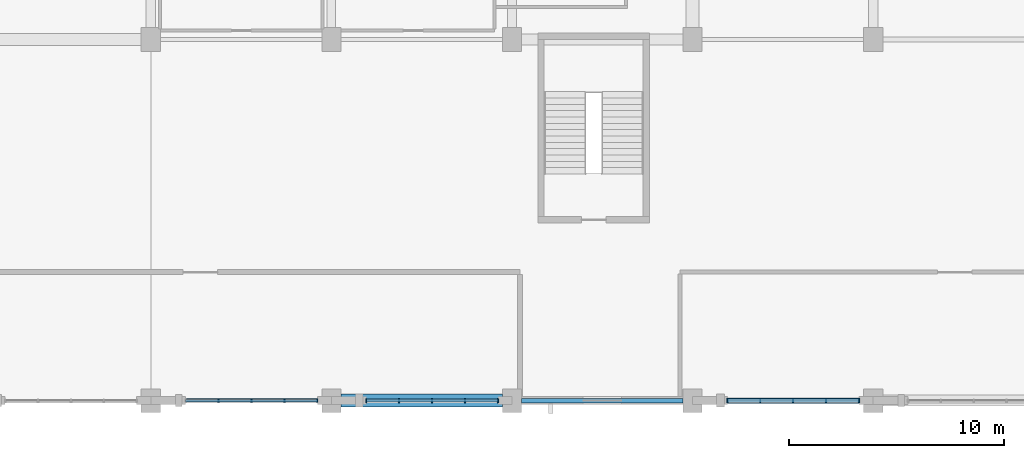
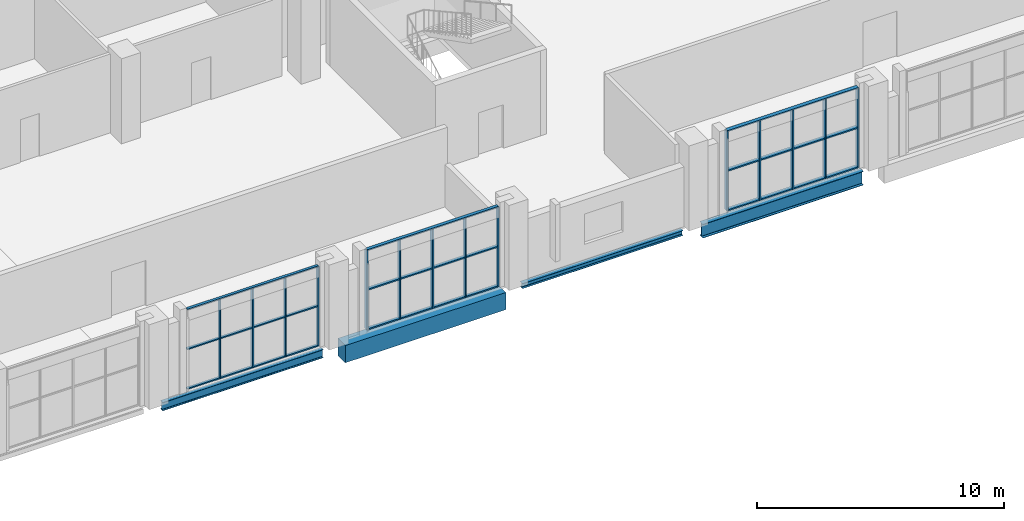
# One storey, part 33 of 64: 23 members, 4 beams, 3 elements without a shape of their own.
"""IFC4 building model written with IfcOpenShell, lengths in metres."""

from ifc_helpers import new_model, si_unit, derived_unit, direction, frame, origin, origin_2d, place, context, subcontext, project, spatial, rectangle, i_section, extrude, material, material_profile, profile_set, type_object, element, aggregate, save


model = new_model("IFC4")

# Units and contexts
model_context = context("Model", 3, precision=1e-05, world=origin(), true_north=direction((0.0, 1.0)))
body_context = subcontext(model_context, "Body", "Model", "MODEL_VIEW")
ifc_project = project(units=[si_unit("LENGTHUNIT", "METRE"), si_unit("AREAUNIT", "SQUARE_METRE"), si_unit("VOLUMEUNIT", "CUBIC_METRE"), si_unit("PLANEANGLEUNIT", "RADIAN"), si_unit("MASSUNIT", "GRAM", prefix="KILO"), derived_unit("THERMALTRANSMITTANCEUNIT", [(si_unit("POWERUNIT", "WATT"), 1), (si_unit("LENGTHUNIT", "METRE"), -2), (si_unit("THERMODYNAMICTEMPERATUREUNIT", "KELVIN"), -1)])], contexts=[model_context])

# Site, building, storey
site_placement = place(None, origin())
site = spatial("IfcSite", under=ifc_project, at=site_placement, CompositionType="ELEMENT")
building_placement = place(site_placement, origin())
building = spatial("IfcBuilding", under=site, at=building_placement, Name="Barrovel Congress Hotel", CompositionType="ELEMENT")
storey_placement = place(building_placement, frame((0.0, 0.0, 14.10009765625)))
storey = spatial("IfcBuildingStorey", under=building, at=storey_placement, Name="L03", CompositionType="ELEMENT", Elevation=14.10009765625)

# Beam
ifc_material_1 = material(Name="Concrete C40", Category="concrete")
ifc_material_profile_1 = material_profile(ifc_material_1, rectangle(XDim=0.60009765625, YDim=0.85009765625, at=origin_2d()), Name="RC600x850")
ifc_profile_set_1 = profile_set([ifc_material_profile_1], Name="Concrete C40")
beam_type_1 = type_object("IfcBeamType", Name="BM-RC600x850", PredefinedType="BEAM", material=ifc_profile_set_1)
beam_1_placement = place(storey_placement, frame((134.85009765625, 4.199951171875, -0.6650390625), z_axis=(1.0, 0.0, 0.0), x_axis=(0.0, 1.0, 0.0)))
element("IfcBeam", 1, at=beam_1_placement, inside=storey, type_object=beam_type_1, Name="BMX:L03:4.2:134.4-142.8", PredefinedType="BEAM", context=body_context, shape_type="SweptSolid", body=[
    extrude(rectangle(XDim=0.60009765625, YDim=0.85009765625, at=origin_2d()), origin(), (0.0, 0.0, 1.0), 7.5),
])

# Curtain wall, members
ifc_material_2 = material(Name="Anodised Aluminium Alloy 6063-T6", Category="aluminium")
curtain_wall_type = type_object("IfcCurtainWallType", Name="CW-ST-7200x3600", PredefinedType="USERDEFINED", material=ifc_material_2)
curtain_wall_1_placement = place(storey_placement, origin())
curtain_wall_1 = element("IfcCurtainWall", 2, at=curtain_wall_1_placement, inside=storey, type_object=curtain_wall_type, Name="CW:L03:S:15", ObjectType="STICK CURTAIN WALL", PredefinedType="USERDEFINED")
ifc_material_profile_2 = material_profile(ifc_material_2, rectangle(XDim=0.06005859375, YDim=0.1650390625, at=origin_2d()), Name="AL-M60x165")
ifc_profile_set_2 = profile_set([ifc_material_profile_2], Name="Anodised Aluminium Alloy 6063-T6")
member_type_1 = type_object("IfcMemberType", Name="CWM-AL-M60x165", PredefinedType="MULLION", material=ifc_profile_set_2)
member_1_placement = place(storey_placement, frame((129.14990234375, 4.199951171875, 0.0), z_axis=(0.0, 0.0, 1.0), x_axis=(1.0, 0.0, 0.0)))
member_1 = element("IfcMember", 3, at=member_1_placement, type_object=member_type_1, Name="CW:L03:S:15:M1", PredefinedType="MULLION", context=body_context, shape_type="SweptSolid", body=[
    extrude(rectangle(XDim=0.06005859375, YDim=0.1650390625, at=origin_2d()), origin(), (0.0, 0.0, 1.0), 3.919921875),
])
member_2_placement = place(storey_placement, frame((130.679931640625, 4.199951171875, 0.0), z_axis=(0.0, 0.0, 1.0), x_axis=(1.0, 0.0, 0.0)))
member_2 = element("IfcMember", 4, at=member_2_placement, type_object=member_type_1, Name="CW:L03:S:15:M2", PredefinedType="MULLION", context=body_context, shape_type="SweptSolid", body=[
    extrude(rectangle(XDim=0.06005859375, YDim=0.1650390625, at=origin_2d()), origin(), (0.0, 0.0, 1.0), 3.919921875),
])
member_3_placement = place(storey_placement, frame((132.2099609375, 4.199951171875, 0.0), z_axis=(0.0, 0.0, 1.0), x_axis=(1.0, 0.0, 0.0)))
member_3 = element("IfcMember", 5, at=member_3_placement, type_object=member_type_1, Name="CW:L03:S:15:M3", PredefinedType="MULLION", context=body_context, shape_type="SweptSolid", body=[
    extrude(rectangle(XDim=0.06005859375, YDim=0.1650390625, at=origin_2d()), origin(), (0.0, 0.0, 1.0), 3.919921875),
])
member_4_placement = place(storey_placement, frame((133.739990234375, 4.199951171875, 0.0), z_axis=(0.0, 0.0, 1.0), x_axis=(1.0, 0.0, 0.0)))
member_4 = element("IfcMember", 6, at=member_4_placement, type_object=member_type_1, Name="CW:L03:S:15:M4", PredefinedType="MULLION", context=body_context, shape_type="SweptSolid", body=[
    extrude(rectangle(XDim=0.06005859375, YDim=0.1650390625, at=origin_2d()), origin(), (0.0, 0.0, 1.0), 3.919921875),
])

curtain_wall_2_placement = place(storey_placement, origin())
curtain_wall_2 = element("IfcCurtainWall", 7, at=curtain_wall_2_placement, inside=storey, type_object=curtain_wall_type, Name="CW:L03:S:16", ObjectType="STICK CURTAIN WALL", PredefinedType="USERDEFINED")
ifc_material_profile_3 = material_profile(ifc_material_2, rectangle(XDim=0.06494140625, YDim=0.18994140625, at=origin_2d()), Name="AL-M65x190")
ifc_profile_set_3 = profile_set([ifc_material_profile_3], Name="Anodised Aluminium Alloy 6063-T6")
member_type_2 = type_object("IfcMemberType", Name="CWM-AL-M65x190", PredefinedType="MULLION", material=ifc_profile_set_3)
member_5_placement = place(storey_placement, frame((136.02001953125, 4.199951171875, 0.0), z_axis=(0.0, 0.0, 1.0), x_axis=(1.0, 0.0, 0.0)))
member_5 = element("IfcMember", 8, at=member_5_placement, type_object=member_type_2, Name="CW:L03:S:16:M0", PredefinedType="MULLION", context=body_context, shape_type="SweptSolid", body=[
    extrude(rectangle(XDim=0.06494140625, YDim=0.18994140625, at=origin_2d()), origin(), (0.0, 0.0, 1.0), 3.919921875),
])
member_6_placement = place(storey_placement, frame((137.550048828125, 4.199951171875, 0.0), z_axis=(0.0, 0.0, 1.0), x_axis=(1.0, 0.0, 0.0)))
member_6 = element("IfcMember", 9, at=member_6_placement, type_object=member_type_2, Name="CW:L03:S:16:M1", PredefinedType="MULLION", context=body_context, shape_type="SweptSolid", body=[
    extrude(rectangle(XDim=0.06494140625, YDim=0.18994140625, at=origin_2d()), origin(), (0.0, 0.0, 1.0), 3.919921875),
])
member_7_placement = place(storey_placement, frame((139.080078125, 4.199951171875, 0.0), z_axis=(0.0, 0.0, 1.0), x_axis=(1.0, 0.0, 0.0)))
member_7 = element("IfcMember", 10, at=member_7_placement, type_object=member_type_2, Name="CW:L03:S:16:M2", PredefinedType="MULLION", context=body_context, shape_type="SweptSolid", body=[
    extrude(rectangle(XDim=0.06494140625, YDim=0.18994140625, at=origin_2d()), origin(), (0.0, 0.0, 1.0), 3.919921875),
])
member_8_placement = place(storey_placement, frame((140.610107421875, 4.199951171875, 0.0), z_axis=(0.0, 0.0, 1.0), x_axis=(1.0, 0.0, 0.0)))
member_8 = element("IfcMember", 11, at=member_8_placement, type_object=member_type_2, Name="CW:L03:S:16:M3", PredefinedType="MULLION", context=body_context, shape_type="SweptSolid", body=[
    extrude(rectangle(XDim=0.06494140625, YDim=0.18994140625, at=origin_2d()), origin(), (0.0, 0.0, 1.0), 3.919921875),
])
member_9_placement = place(storey_placement, frame((142.139892578125, 4.199951171875, 0.0), z_axis=(0.0, 0.0, 1.0), x_axis=(1.0, 0.0, 0.0)))
member_9 = element("IfcMember", 12, at=member_9_placement, type_object=member_type_2, Name="CW:L03:S:16:M4", PredefinedType="MULLION", context=body_context, shape_type="SweptSolid", body=[
    extrude(rectangle(XDim=0.06494140625, YDim=0.18994140625, at=origin_2d()), origin(), (0.0, 0.0, 1.0), 3.919921875),
])

curtain_wall_3_placement = place(storey_placement, origin())
curtain_wall_3 = element("IfcCurtainWall", 13, at=curtain_wall_3_placement, inside=storey, type_object=curtain_wall_type, Name="CW:L03:S:18", ObjectType="STICK CURTAIN WALL", PredefinedType="USERDEFINED")
ifc_material_profile_4 = material_profile(ifc_material_2, rectangle(XDim=0.06494140625, YDim=0.219970703125, at=origin_2d()), Name="AL-M65x220")
ifc_profile_set_4 = profile_set([ifc_material_profile_4], Name="Anodised Aluminium Alloy 6063-T6")
member_type_3 = type_object("IfcMemberType", Name="CWM-AL-M65x220", PredefinedType="MULLION", material=ifc_profile_set_4)
member_10_placement = place(storey_placement, frame((152.820068359375, 4.199951171875, 0.0), z_axis=(0.0, 0.0, 1.0), x_axis=(1.0, 0.0, 0.0)))
member_10 = element("IfcMember", 14, at=member_10_placement, type_object=member_type_3, Name="CW:L03:S:18:M0", PredefinedType="MULLION", context=body_context, shape_type="SweptSolid", body=[
    extrude(rectangle(XDim=0.06494140625, YDim=0.219970703125, at=origin_2d()), origin(), (0.0, 0.0, 1.0), 3.919921875),
])
member_11_placement = place(storey_placement, frame((154.35009765625, 4.199951171875, 0.0), z_axis=(0.0, 0.0, 1.0), x_axis=(1.0, 0.0, 0.0)))
member_11 = element("IfcMember", 15, at=member_11_placement, type_object=member_type_3, Name="CW:L03:S:18:M1", PredefinedType="MULLION", context=body_context, shape_type="SweptSolid", body=[
    extrude(rectangle(XDim=0.06494140625, YDim=0.219970703125, at=origin_2d()), origin(), (0.0, 0.0, 1.0), 3.919921875),
])
member_12_placement = place(storey_placement, frame((155.8798828125, 4.199951171875, 0.0), z_axis=(0.0, 0.0, 1.0), x_axis=(1.0, 0.0, 0.0)))
member_12 = element("IfcMember", 16, at=member_12_placement, type_object=member_type_3, Name="CW:L03:S:18:M2", PredefinedType="MULLION", context=body_context, shape_type="SweptSolid", body=[
    extrude(rectangle(XDim=0.06494140625, YDim=0.219970703125, at=origin_2d()), origin(), (0.0, 0.0, 1.0), 3.919921875),
])
member_13_placement = place(storey_placement, frame((157.409912109375, 4.199951171875, 0.0), z_axis=(0.0, 0.0, 1.0), x_axis=(1.0, 0.0, 0.0)))
member_13 = element("IfcMember", 17, at=member_13_placement, type_object=member_type_3, Name="CW:L03:S:18:M3", PredefinedType="MULLION", context=body_context, shape_type="SweptSolid", body=[
    extrude(rectangle(XDim=0.06494140625, YDim=0.219970703125, at=origin_2d()), origin(), (0.0, 0.0, 1.0), 3.919921875),
])
member_14_placement = place(storey_placement, frame((158.93994140625, 4.199951171875, 0.0), z_axis=(0.0, 0.0, 1.0), x_axis=(1.0, 0.0, 0.0)))
member_14 = element("IfcMember", 18, at=member_14_placement, type_object=member_type_3, Name="CW:L03:S:18:M4", PredefinedType="MULLION", context=body_context, shape_type="SweptSolid", body=[
    extrude(rectangle(XDim=0.06494140625, YDim=0.219970703125, at=origin_2d()), origin(), (0.0, 0.0, 1.0), 3.919921875),
])

# Member
ifc_material_profile_5 = material_profile(ifc_material_2, rectangle(XDim=0.125, YDim=0.06005859375, at=origin_2d()), Name="AL-T60x125")
ifc_profile_set_5 = profile_set([ifc_material_profile_5], Name="Anodised Aluminium Alloy 6063-T6")
member_type_4 = type_object("IfcMemberType", Name="CWT-AL-T60x125", PredefinedType="USERDEFINED", material=ifc_profile_set_5)
member_15_placement = place(storey_placement, frame((127.6201171875, 4.199951171875, 0.0), z_axis=(1.0, 0.0, 0.0), x_axis=(0.0, 1.0, 0.0)))
member_15 = element("IfcMember", 19, at=member_15_placement, type_object=member_type_4, Name="CW:L03:S:15:T0", ObjectType="TRANSOM", PredefinedType="USERDEFINED", context=body_context, shape_type="SweptSolid", body=[
    extrude(rectangle(XDim=0.125, YDim=0.06005859375, at=origin_2d()), origin(), (0.0, 0.0, 1.0), 6.119873046875),
])

member_16_placement = place(storey_placement, frame((127.6201171875, 4.199951171875, 1.9599609375), z_axis=(1.0, 0.0, 0.0), x_axis=(0.0, 1.0, 0.0)))
member_16 = element("IfcMember", 20, at=member_16_placement, type_object=member_type_4, Name="CW:L03:S:15:T1", ObjectType="TRANSOM", PredefinedType="USERDEFINED", context=body_context, shape_type="SweptSolid", body=[
    extrude(rectangle(XDim=0.125, YDim=0.06005859375, at=origin_2d()), origin(), (0.0, 0.0, 1.0), 6.119873046875),
])

member_17_placement = place(storey_placement, frame((127.6201171875, 4.199951171875, 3.919921875), z_axis=(1.0, 0.0, 0.0), x_axis=(0.0, 1.0, 0.0)))
member_17 = element("IfcMember", 21, at=member_17_placement, type_object=member_type_4, Name="CW:L03:S:15:T2", ObjectType="TRANSOM", PredefinedType="USERDEFINED", context=body_context, shape_type="SweptSolid", body=[
    extrude(rectangle(XDim=0.125, YDim=0.06005859375, at=origin_2d()), origin(), (0.0, 0.0, 1.0), 6.119873046875),
])

aggregate(curtain_wall_1, [member_1, member_2, member_3, member_4, member_15, member_16, member_17])

ifc_material_profile_6 = material_profile(ifc_material_2, rectangle(XDim=0.14990234375, YDim=0.06494140625, at=origin_2d()), Name="AL-T65x150")
ifc_profile_set_6 = profile_set([ifc_material_profile_6], Name="Anodised Aluminium Alloy 6063-T6")
member_type_5 = type_object("IfcMemberType", Name="CWT-AL-T65x150", PredefinedType="USERDEFINED", material=ifc_profile_set_6)
member_18_placement = place(storey_placement, frame((136.02001953125, 4.199951171875, 0.0), z_axis=(1.0, 0.0, 0.0), x_axis=(0.0, 1.0, 0.0)))
member_18 = element("IfcMember", 22, at=member_18_placement, type_object=member_type_5, Name="CW:L03:S:16:T0", ObjectType="TRANSOM", PredefinedType="USERDEFINED", context=body_context, shape_type="SweptSolid", body=[
    extrude(rectangle(XDim=0.14990234375, YDim=0.06494140625, at=origin_2d()), origin(), (0.0, 0.0, 1.0), 6.119873046875),
])

member_19_placement = place(storey_placement, frame((136.02001953125, 4.199951171875, 1.9599609375), z_axis=(1.0, 0.0, 0.0), x_axis=(0.0, 1.0, 0.0)))
member_19 = element("IfcMember", 23, at=member_19_placement, type_object=member_type_5, Name="CW:L03:S:16:T1", ObjectType="TRANSOM", PredefinedType="USERDEFINED", context=body_context, shape_type="SweptSolid", body=[
    extrude(rectangle(XDim=0.14990234375, YDim=0.06494140625, at=origin_2d()), origin(), (0.0, 0.0, 1.0), 6.119873046875),
])

member_20_placement = place(storey_placement, frame((136.02001953125, 4.199951171875, 3.919921875), z_axis=(1.0, 0.0, 0.0), x_axis=(0.0, 1.0, 0.0)))
member_20 = element("IfcMember", 24, at=member_20_placement, type_object=member_type_5, Name="CW:L03:S:16:T2", ObjectType="TRANSOM", PredefinedType="USERDEFINED", context=body_context, shape_type="SweptSolid", body=[
    extrude(rectangle(XDim=0.14990234375, YDim=0.06494140625, at=origin_2d()), origin(), (0.0, 0.0, 1.0), 6.119873046875),
])

aggregate(curtain_wall_2, [member_5, member_6, member_7, member_8, member_9, member_18, member_19, member_20])

ifc_material_profile_7 = material_profile(ifc_material_2, rectangle(XDim=0.179931640625, YDim=0.06494140625, at=origin_2d()), Name="AL-T65x180")
ifc_profile_set_7 = profile_set([ifc_material_profile_7], Name="Anodised Aluminium Alloy 6063-T6")
member_type_6 = type_object("IfcMemberType", Name="CWT-AL-T65x180", PredefinedType="USERDEFINED", material=ifc_profile_set_7)
member_21_placement = place(storey_placement, frame((152.820068359375, 4.199951171875, 0.0), z_axis=(1.0, 0.0, 0.0), x_axis=(0.0, 1.0, 0.0)))
member_21 = element("IfcMember", 25, at=member_21_placement, type_object=member_type_6, Name="CW:L03:S:18:T0", ObjectType="TRANSOM", PredefinedType="USERDEFINED", context=body_context, shape_type="SweptSolid", body=[
    extrude(rectangle(XDim=0.179931640625, YDim=0.06494140625, at=origin_2d()), origin(), (0.0, 0.0, 1.0), 6.119873046875),
])

member_22_placement = place(storey_placement, frame((152.820068359375, 4.199951171875, 1.9599609375), z_axis=(1.0, 0.0, 0.0), x_axis=(0.0, 1.0, 0.0)))
member_22 = element("IfcMember", 26, at=member_22_placement, type_object=member_type_6, Name="CW:L03:S:18:T1", ObjectType="TRANSOM", PredefinedType="USERDEFINED", context=body_context, shape_type="SweptSolid", body=[
    extrude(rectangle(XDim=0.179931640625, YDim=0.06494140625, at=origin_2d()), origin(), (0.0, 0.0, 1.0), 6.119873046875),
])

member_23_placement = place(storey_placement, frame((152.820068359375, 4.199951171875, 3.919921875), z_axis=(1.0, 0.0, 0.0), x_axis=(0.0, 1.0, 0.0)))
member_23 = element("IfcMember", 27, at=member_23_placement, type_object=member_type_6, Name="CW:L03:S:18:T2", ObjectType="TRANSOM", PredefinedType="USERDEFINED", context=body_context, shape_type="SweptSolid", body=[
    extrude(rectangle(XDim=0.179931640625, YDim=0.06494140625, at=origin_2d()), origin(), (0.0, 0.0, 1.0), 6.119873046875),
])

aggregate(curtain_wall_3, [member_10, member_11, member_12, member_13, member_14, member_21, member_22, member_23])

# Beams
ifc_material_3 = material(Name="Steel ASTM A992 Grade 50", Category="steel")
ifc_material_profile_8 = material_profile(ifc_material_3, i_section(OverallWidth=0.201904296875, OverallDepth=0.2470703125, WebThickness=0.00732421875, FlangeThickness=0.010986328125, FilletRadius=0.011962890625, at=origin_2d()), Name="W250x49")
ifc_profile_set_8 = profile_set([ifc_material_profile_8], Name="Steel ASTM A992 Grade 50")
beam_type_2 = type_object("IfcBeamType", Name="SBM-W250x49", PredefinedType="SPANDREL", material=ifc_profile_set_8)
beam_2_placement = place(storey_placement, frame((143.25, 4.199951171875, -0.363525390625), z_axis=(1.0, 0.0, 0.0), x_axis=(0.0, 1.0, 0.0)))
element("IfcBeam", 28, at=beam_2_placement, inside=storey, type_object=beam_type_2, Name="BMX:L03:4.2:142.8-151.2", PredefinedType="SPANDREL", context=body_context, shape_type="SweptSolid", body=[
    extrude(i_section(OverallWidth=0.201904296875, OverallDepth=0.2470703125, WebThickness=0.00732421875, FlangeThickness=0.010986328125, FilletRadius=0.011962890625, at=origin_2d()), origin(), (0.0, 0.0, 1.0), 7.5),
])
ifc_material_profile_9 = material_profile(ifc_material_3, i_section(OverallWidth=0.178955078125, OverallDepth=0.409912109375, WebThickness=0.0087890625, FlangeThickness=0.014404296875, FilletRadius=0.011962890625, at=origin_2d()), Name="W410x67")
ifc_profile_set_9 = profile_set([ifc_material_profile_9], Name="Steel ASTM A992 Grade 50")
beam_type_3 = type_object("IfcBeamType", Name="SBM-W410x67", PredefinedType="BEAM", material=ifc_profile_set_9)
beam_3_placement = place(storey_placement, frame((126.449951171875, 4.199951171875, -0.445068359375), z_axis=(1.0, 0.0, 0.0), x_axis=(0.0, 1.0, 0.0)))
element("IfcBeam", 29, at=beam_3_placement, inside=storey, type_object=beam_type_3, Name="BMX:L03:4.2:126.0-134.4", PredefinedType="BEAM", context=body_context, shape_type="SweptSolid", body=[
    extrude(i_section(OverallWidth=0.178955078125, OverallDepth=0.409912109375, WebThickness=0.0087890625, FlangeThickness=0.014404296875, FilletRadius=0.011962890625, at=origin_2d()), origin(), (0.0, 0.0, 1.0), 7.5),
])
ifc_material_profile_10 = material_profile(ifc_material_3, i_section(OverallWidth=0.25390625, OverallDepth=0.68408203125, WebThickness=0.012451171875, FlangeThickness=0.01904296875, FilletRadius=0.014892578125, at=origin_2d()), Name="W690x140")
ifc_profile_set_10 = profile_set([ifc_material_profile_10], Name="Steel ASTM A992 Grade 50")
beam_type_4 = type_object("IfcBeamType", Name="SBM-W690x140", PredefinedType="BEAM", material=ifc_profile_set_10)
beam_4_placement = place(storey_placement, frame((151.64990234375, 4.199951171875, -0.58203125), z_axis=(1.0, 0.0, 0.0), x_axis=(0.0, 1.0, 0.0)))
element("IfcBeam", 30, at=beam_4_placement, inside=storey, type_object=beam_type_4, Name="BMX:L03:4.2:151.2-159.6", PredefinedType="BEAM", context=body_context, shape_type="SweptSolid", body=[
    extrude(i_section(OverallWidth=0.25390625, OverallDepth=0.68408203125, WebThickness=0.012451171875, FlangeThickness=0.01904296875, FilletRadius=0.014892578125, at=origin_2d()), origin(), (0.0, 0.0, 1.0), 7.5),
])

save(model, "model.ifc")
